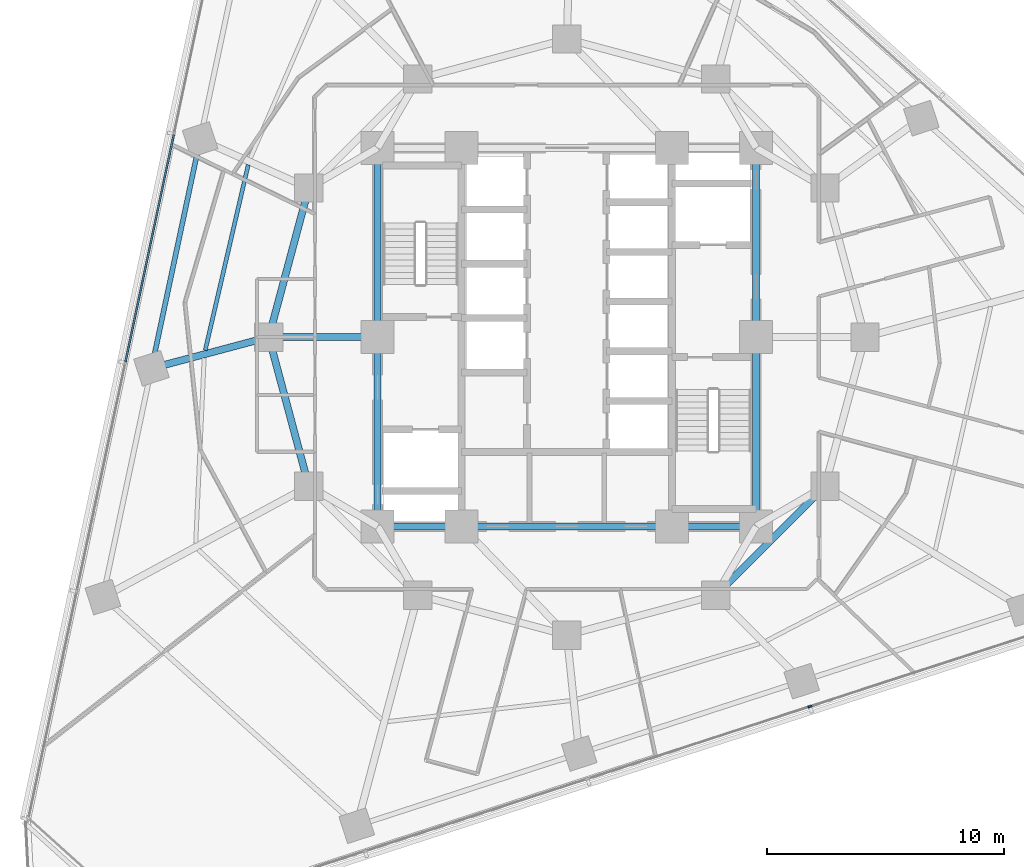
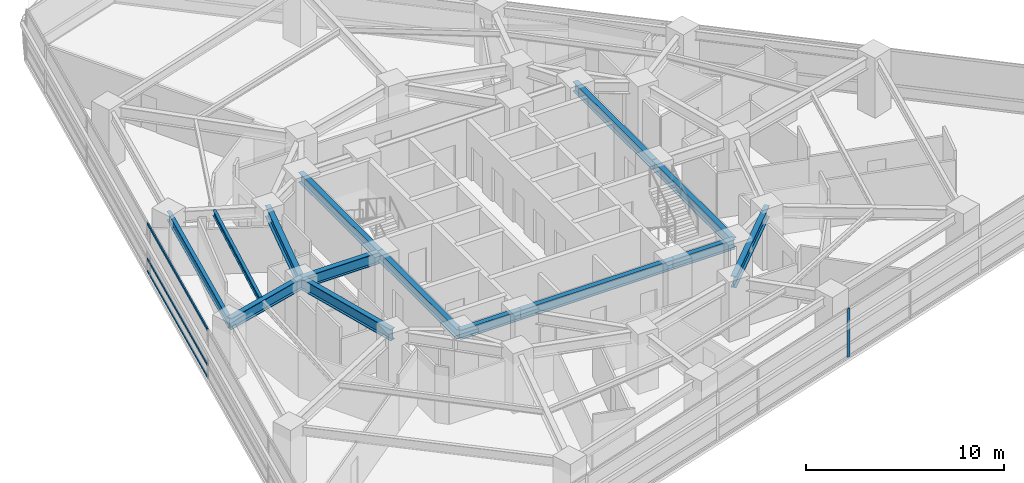
# One storey, part 3 of 13: 14 beams, 4 members, 2 elements without a shape of their own.
"""IFC4 building model written with IfcOpenShell, lengths in metres."""

from ifc_helpers import new_model, si_unit, direction, frame, origin, origin_2d, place, context, subcontext, project, spatial, rectangle, i_section, extrude, material, layer, layer_set, material_profile, profile_set, type_object, element, aggregate, save


model = new_model("IFC4")

# Units and contexts
model_context = context("Model", 3, precision=1e-05, world=origin(), true_north=direction((0.0, 1.0)))
body_context = subcontext(model_context, "Body", "Model", "MODEL_VIEW")
ifc_project = project(units=[si_unit("LENGTHUNIT", "METRE"), si_unit("AREAUNIT", "SQUARE_METRE"), si_unit("VOLUMEUNIT", "CUBIC_METRE"), si_unit("PLANEANGLEUNIT", "RADIAN"), si_unit("MASSUNIT", "GRAM", prefix="KILO")], contexts=[model_context])

# Site, building, storey
site_placement = place(None, origin())
site = spatial("IfcSite", under=ifc_project, at=site_placement, CompositionType="ELEMENT")
building_placement = place(site_placement, origin())
building = spatial("IfcBuilding", under=site, at=building_placement, Name="Terralouvre Media Tower", CompositionType="ELEMENT")
storey_placement = place(building_placement, frame((0.0, 0.0, 105.10009765625)))
storey = spatial("IfcBuildingStorey", under=building, at=storey_placement, Name="L26", CompositionType="ELEMENT", Elevation=105.10009765625)

# Beam
ifc_material_1 = material(Name="Structural steel S355J2", Category="steel")
ifc_material_profile_1 = material_profile(ifc_material_1, i_section(OverallWidth=0.169921875, OverallDepth=0.360107421875, WebThickness=0.008056640625, FlangeThickness=0.0126953125, at=origin_2d()), Name="IPE 360")
ifc_profile_set_1 = profile_set([ifc_material_profile_1], Name="Structural steel S355J2")
beam_type_1 = type_object("IfcBeamType", Name="Composite Floor Joist J-IPE360 (IPE 360)", PredefinedType="JOIST", material=ifc_profile_set_1)
beam_1_placement = place(storey_placement, frame((-13.47216796875, 7.28076171875, 3.31982421875), z_axis=(-0.225820426646, -0.974168945774, 0.0), x_axis=(0.974168945774, -0.225820426646, 0.0)))
element("IfcBeam", 1, at=beam_1_placement, inside=storey, type_object=beam_type_1, Name="L26 Framing Beam JT-L26-12", PredefinedType="JOIST", context=body_context, shape_type="SweptSolid", body=[
    extrude(i_section(OverallWidth=0.169921875, OverallDepth=0.360107421875, WebThickness=0.008056640625, FlangeThickness=0.0126953125, at=origin_2d()), origin(), (0.0, 0.0, 1.0), 8.05224609375),
])

# Curtain wall, members
ifc_material_2 = material(Name="Low-iron laminated double glazing with solar-control coating", Category="glass")
ifc_layer = layer(ifc_material_2, 0.1650390625, Name="Lower Media Tower Unitised Curtain Wall CW-02")
ifc_layer_set = layer_set([ifc_layer], Name="Low-iron laminated double glazing with solar-control coating")
curtain_wall_type = type_object("IfcCurtainWallType", Name="Lower Media Tower Unitised Curtain Wall CW-02", PredefinedType="NOTDEFINED", material=ifc_layer_set)
curtain_wall_1_placement = place(storey_placement, origin())
curtain_wall_1 = element("IfcCurtainWall", 2, at=curtain_wall_1_placement, inside=storey, type_object=curtain_wall_type, Name="L26 Facade Curtain Wall F2", PredefinedType="NOTDEFINED")
ifc_material_3 = material(Name="Anodised extruded aluminium 6063-T6", Category="aluminium")
ifc_material_profile_2 = material_profile(ifc_material_3, rectangle(XDim=0.074951171875, YDim=0.14990234375, at=origin_2d()), Name="ALU 75x150")
ifc_profile_set_2 = profile_set([ifc_material_profile_2], Name="Anodised extruded aluminium 6063-T6")
member_type_1 = type_object("IfcMemberType", Name="Curtain-Wall Horizontal Transom TR-150", PredefinedType="USERDEFINED", material=ifc_profile_set_2)
member_1_placement = place(storey_placement, frame((-16.617919921875, 8.54833984375, 0.037353515625), z_axis=(-0.207914695346, -0.978146962097, 0.0), x_axis=(0.978146962097, -0.207914695346, 0.0)))
member_1 = element("IfcMember", 3, at=member_1_placement, type_object=member_type_1, Name="CW-02 transom 3.1", ObjectType="TRANSOM", PredefinedType="USERDEFINED", context=body_context, shape_type="SweptSolid", body=[
    extrude(rectangle(XDim=0.074951171875, YDim=0.14990234375, at=origin_2d()), origin(), (0.0, 0.0, 1.0), 9.81298828125),
])
member_2_placement = place(storey_placement, frame((-16.617919921875, 8.54833984375, 0.7998046875), z_axis=(-0.207914695346, -0.978146962097, 0.0), x_axis=(0.978146962097, -0.207914695346, 0.0)))
member_2 = element("IfcMember", 4, at=member_2_placement, type_object=member_type_1, Name="CW-02 transom 3.2", ObjectType="TRANSOM", PredefinedType="USERDEFINED", context=body_context, shape_type="SweptSolid", body=[
    extrude(rectangle(XDim=0.074951171875, YDim=0.14990234375, at=origin_2d()), origin(), (0.0, 0.0, 1.0), 9.81298828125),
])
member_3_placement = place(storey_placement, frame((-16.617919921875, 8.54833984375, 2.96240234375), z_axis=(-0.207914695346, -0.978146962097, 0.0), x_axis=(0.978146962097, -0.207914695346, 0.0)))
member_3 = element("IfcMember", 5, at=member_3_placement, type_object=member_type_1, Name="CW-02 transom 3.3", ObjectType="TRANSOM", PredefinedType="USERDEFINED", context=body_context, shape_type="SweptSolid", body=[
    extrude(rectangle(XDim=0.074951171875, YDim=0.14990234375, at=origin_2d()), origin(), (0.0, 0.0, 1.0), 9.81298828125),
])
aggregate(curtain_wall_1, [member_1, member_2, member_3])

# Curtain wall, member
curtain_wall_2_placement = place(storey_placement, origin())
curtain_wall_2 = element("IfcCurtainWall", 6, at=curtain_wall_2_placement, inside=storey, type_object=curtain_wall_type, Name="L26 Facade Curtain Wall F0", PredefinedType="NOTDEFINED")
ifc_material_4 = material(Name="Anodised extruded aluminium 6063-T6", Category="aluminium")
ifc_material_profile_3 = material_profile(ifc_material_4, rectangle(XDim=0.074951171875, YDim=0.179931640625, at=origin_2d()), Name="ALU 75x180")
ifc_profile_set_3 = profile_set([ifc_material_profile_3], Name="Anodised extruded aluminium 6063-T6")
member_type_2 = type_object("IfcMemberType", Name="Curtain-Wall Vertical Mullion ML-180", PredefinedType="MULLION", material=ifc_profile_set_3)
member_4_placement = place(storey_placement, frame((10.274169921875, -15.621826171875, 0.0), z_axis=(0.0, 0.0, 1.0), x_axis=(-0.309017015439, 0.951056509451, 0.0)))
member_4 = element("IfcMember", 7, at=member_4_placement, type_object=member_type_2, Name="CW-02 mullion 4", PredefinedType="MULLION", context=body_context, shape_type="SweptSolid", body=[
    extrude(rectangle(XDim=0.074951171875, YDim=0.179931640625, at=origin_2d()), origin(), (0.0, 0.0, 1.0), 3.0),
])
aggregate(curtain_wall_2, [member_4])

# Beams
ifc_material_5 = material(Name="Structural steel S355J2", Category="steel")
ifc_material_profile_4 = material_profile(ifc_material_5, i_section(OverallWidth=0.2099609375, OverallDepth=0.550048828125, WebThickness=0.010986328125, FlangeThickness=0.01708984375, at=origin_2d()), Name="IPE 550")
ifc_profile_set_4 = profile_set([ifc_material_profile_4], Name="Structural steel S355J2")
beam_type_2 = type_object("IfcBeamType", Name="Perimeter Spandrel Beam SPB-550 (IPE 550)", PredefinedType="SPANDREL", material=ifc_profile_set_4)
beam_2_placement = place(storey_placement, frame((-15.5048828125, 8.35009765625, 3.224853515625), z_axis=(-0.207920177572, -0.97814579678, 0.0), x_axis=(0.97814579678, -0.207920177572, 0.0)))
element("IfcBeam", 8, at=beam_2_placement, inside=storey, type_object=beam_type_2, Name="L26 Framing Beam BM-L26-PR12", PredefinedType="SPANDREL", context=body_context, shape_type="SweptSolid", body=[
    extrude(i_section(OverallWidth=0.2099609375, OverallDepth=0.550048828125, WebThickness=0.010986328125, FlangeThickness=0.01708984375, at=origin_2d()), origin(), (0.0, 0.0, 1.0), 9.887939453125),
])
ifc_material_6 = material(Name="Structural steel S460M", Category="steel")
ifc_material_profile_5 = material_profile(ifc_material_6, i_section(OverallWidth=0.300048828125, OverallDepth=0.60009765625, WebThickness=0.015380859375, FlangeThickness=0.030029296875, at=origin_2d()), Name="HEB 600")
ifc_profile_set_5 = profile_set([ifc_material_profile_5], Name="Structural steel S460M")
beam_type_3 = type_object("IfcBeamType", Name="Primary Floor Girder B-HEB600 (HEB 600)", PredefinedType="BEAM", material=ifc_profile_set_5)
beam_3_placement = place(storey_placement, frame((-8.0, -8.0, 3.199951171875), z_axis=(1.0, 0.0, 0.0), x_axis=(0.0, 1.0, 0.0)))
element("IfcBeam", 9, at=beam_3_placement, inside=storey, type_object=beam_type_3, Name="L26 Framing Beam BM-L26-CPR01", PredefinedType="BEAM", context=body_context, shape_type="SweptSolid", body=[
    extrude(i_section(OverallWidth=0.300048828125, OverallDepth=0.60009765625, WebThickness=0.015380859375, FlangeThickness=0.030029296875, at=origin_2d()), origin(), (0.0, 0.0, 1.0), 3.550048828125),
])
beam_4_placement = place(storey_placement, frame((-4.449951171875, -8.0, 3.199951171875), z_axis=(1.0, 0.0, 0.0), x_axis=(0.0, 1.0, 0.0)))
element("IfcBeam", 10, at=beam_4_placement, inside=storey, type_object=beam_type_3, Name="L26 Framing Beam BM-L26-CPR02", PredefinedType="BEAM", context=body_context, shape_type="SweptSolid", body=[
    extrude(i_section(OverallWidth=0.300048828125, OverallDepth=0.60009765625, WebThickness=0.015380859375, FlangeThickness=0.030029296875, at=origin_2d()), origin(), (0.0, 0.0, 1.0), 8.89990234375),
])
beam_5_placement = place(storey_placement, frame((4.449951171875, -8.0, 3.199951171875), z_axis=(1.0, 0.0, 0.0), x_axis=(0.0, 1.0, 0.0)))
element("IfcBeam", 11, at=beam_5_placement, inside=storey, type_object=beam_type_3, Name="L26 Framing Beam BM-L26-CPR03", PredefinedType="BEAM", context=body_context, shape_type="SweptSolid", body=[
    extrude(i_section(OverallWidth=0.300048828125, OverallDepth=0.60009765625, WebThickness=0.015380859375, FlangeThickness=0.030029296875, at=origin_2d()), origin(), (0.0, 0.0, 1.0), 3.550048828125),
])
for number, where, z_axis, x_axis, name in (
    (12, (8.0, -8.0, 3.199951171875), (0.0, 1.0, 0.0), (-1.0, 0.0, 0.0), "L26 Framing Beam BM-L26-CPR04"),
    (13, (8.0, 0.0, 3.199951171875), (0.0, 1.0, 0.0), (-1.0, 0.0, 0.0), "L26 Framing Beam BM-L26-CPR05"),
    (14, (-8.0, 8.0, 3.199951171875), (0.0, -1.0, 0.0), (1.0, 0.0, 0.0), "L26 Framing Beam BM-L26-CPR09"),
    (15, (-8.0, 0.0, 3.199951171875), (0.0, -1.0, 0.0), (1.0, 0.0, 0.0), "L26 Framing Beam BM-L26-CPR10"),
):
    element("IfcBeam", number, at=place(storey_placement, frame(where, z_axis=z_axis, x_axis=x_axis)), inside=storey, type_object=beam_type_3, Name=name, PredefinedType="BEAM", context=body_context, shape_type="SweptSolid", body=[
        extrude(i_section(OverallWidth=0.300048828125, OverallDepth=0.60009765625, WebThickness=0.015380859375, FlangeThickness=0.030029296875, at=origin_2d()), origin(), (0.0, 0.0, 1.0), 8.0),
    ])
ifc_material_7 = material(Name="Structural steel S460M", Category="steel")
ifc_material_profile_6 = material_profile(ifc_material_7, i_section(OverallWidth=0.300048828125, OverallDepth=0.699951171875, WebThickness=0.01708984375, FlangeThickness=0.031982421875, at=origin_2d()), Name="HEB 700")
ifc_profile_set_6 = profile_set([ifc_material_profile_6], Name="Structural steel S460M")
beam_type_4 = type_object("IfcBeamType", Name="Primary Floor Girder B-HEB700 (HEB 700)", PredefinedType="BEAM", material=ifc_profile_set_6)
beam_6_placement = place(storey_placement, frame((6.300048828125, -10.911865234375, 3.14990234375), z_axis=(0.707106781187, 0.707106781187, 0.0), x_axis=(-0.707106781187, 0.707106781187, 0.0)))
element("IfcBeam", 16, at=beam_6_placement, inside=storey, type_object=beam_type_4, Name="L26 Framing Beam BM-L26-MR04", PredefinedType="BEAM", context=body_context, shape_type="SweptSolid", body=[
    extrude(i_section(OverallWidth=0.300048828125, OverallDepth=0.699951171875, WebThickness=0.01708984375, FlangeThickness=0.031982421875, at=origin_2d()), origin(), (0.0, 0.0, 1.0), 6.52197265625),
])
for number, where, z_axis, x_axis, name in (
    (17, (-10.911865234375, 6.300048828125, 3.14990234375), (-0.258838989821, -0.965920481897, 0.0), (0.965920481897, -0.258838989821, 0.0), "L26 Framing Beam BM-L26-MR11"),
    (18, (-12.60009765625, 0.0, 3.14990234375), (0.258838989821, -0.965920481897, 0.0), (0.965920481897, 0.258838989821, 0.0), "L26 Framing Beam BM-L26-MR12"),
):
    element("IfcBeam", number, at=place(storey_placement, frame(where, z_axis=z_axis, x_axis=x_axis)), inside=storey, type_object=beam_type_4, Name=name, PredefinedType="BEAM", context=body_context, shape_type="SweptSolid", body=[
        extrude(i_section(OverallWidth=0.300048828125, OverallDepth=0.699951171875, WebThickness=0.01708984375, FlangeThickness=0.031982421875, at=origin_2d()), origin(), (0.0, 0.0, 1.0), 6.522216796875),
    ])
beam_7_placement = place(storey_placement, frame((-8.0, 0.0, 3.14990234375), z_axis=(-1.0, 0.0, 0.0), x_axis=(0.0, -1.0, 0.0)))
element("IfcBeam", 19, at=beam_7_placement, inside=storey, type_object=beam_type_4, Name="L26 Framing Beam BM-L26-CM12", PredefinedType="BEAM", context=body_context, shape_type="SweptSolid", body=[
    extrude(i_section(OverallWidth=0.300048828125, OverallDepth=0.699951171875, WebThickness=0.01708984375, FlangeThickness=0.031982421875, at=origin_2d()), origin(), (0.0, 0.0, 1.0), 4.60009765625),
])
beam_8_placement = place(storey_placement, frame((-12.60009765625, 0.0, 3.14990234375), z_axis=(-0.966287014212, -0.257467291449, 0.0), x_axis=(0.257467291449, -0.966287014212, 0.0)))
element("IfcBeam", 20, at=beam_8_placement, inside=storey, type_object=beam_type_4, Name="L26 Framing Beam BM-L26-RD01", PredefinedType="BEAM", context=body_context, shape_type="SweptSolid", body=[
    extrude(i_section(OverallWidth=0.300048828125, OverallDepth=0.699951171875, WebThickness=0.01708984375, FlangeThickness=0.031982421875, at=origin_2d()), origin(), (0.0, 0.0, 1.0), 5.1337890625),
])

save(model, "model.ifc")
